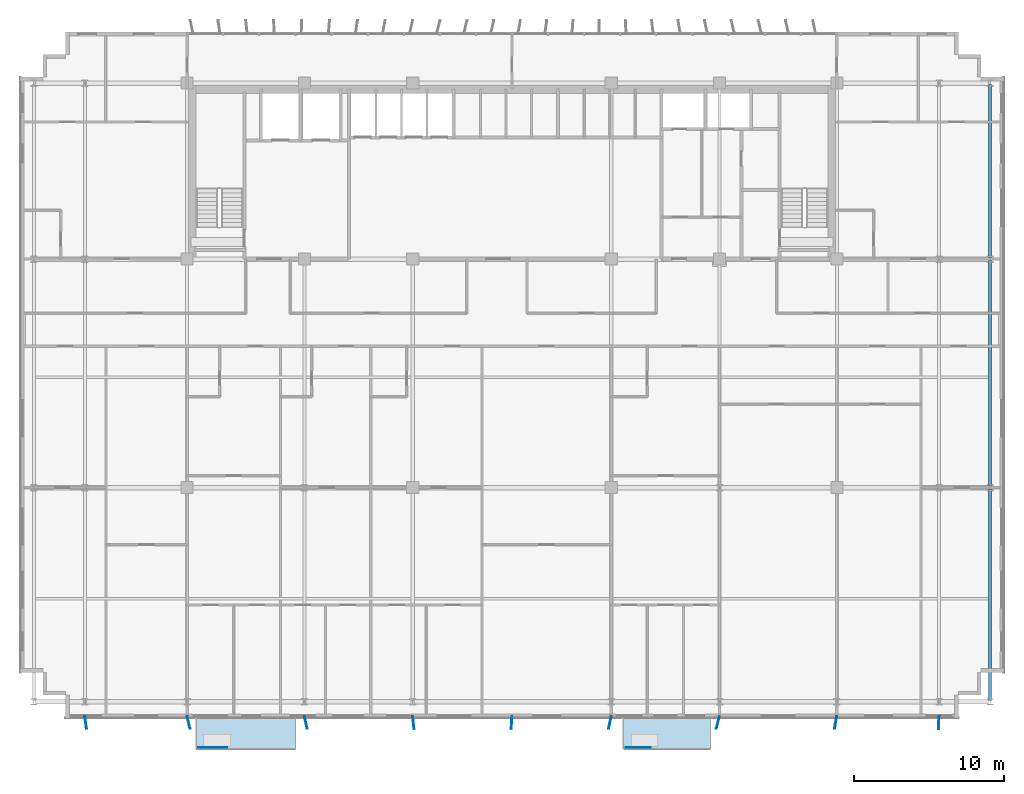
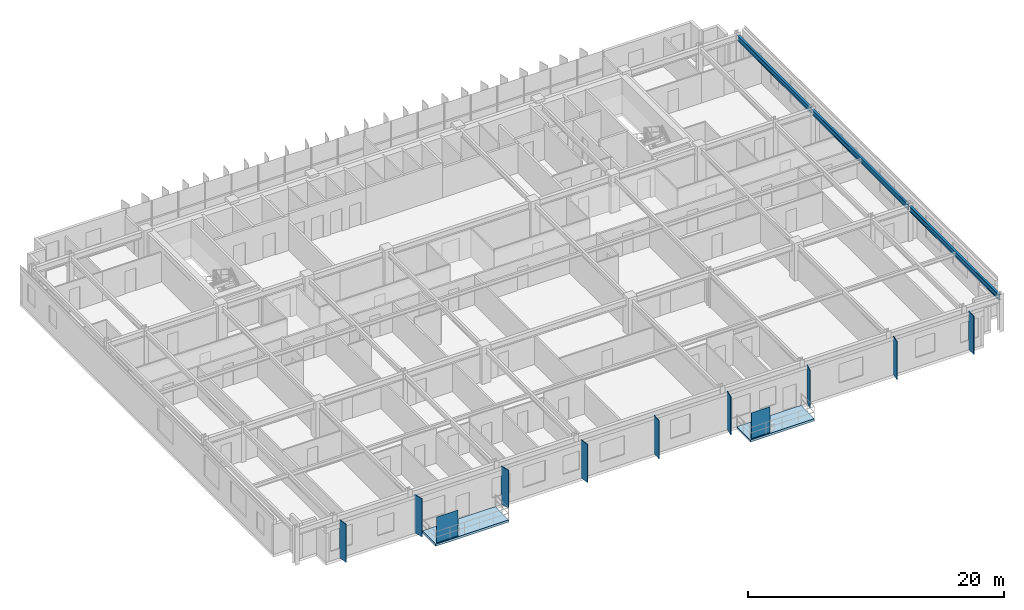
# One storey, part 12 of 22: 11 plates, 3 beams, 2 slabs.
"""IFC4 building model written with IfcOpenShell, lengths in metres."""

from ifc_helpers import new_model, si_unit, direction, frame, origin, origin_2d, place, context, subcontext, project, spatial, polyline, rectangle, i_section, outline, extrude, source, transform, mapped, material, layer, layer_set, material_profile, profile_set, type_object, element, save


model = new_model("IFC4")

# Units and contexts
model_context = context("Model", 3, precision=1e-05, world=origin(), true_north=direction((0.0, 1.0)))
body_context = subcontext(model_context, "Body", "Model", "MODEL_VIEW")
ifc_project = project(units=[si_unit("LENGTHUNIT", "METRE"), si_unit("AREAUNIT", "SQUARE_METRE"), si_unit("VOLUMEUNIT", "CUBIC_METRE"), si_unit("PLANEANGLEUNIT", "RADIAN"), si_unit("MASSUNIT", "GRAM", prefix="KILO")], contexts=[model_context])

# Site, building, storey
site_placement = place(None, origin())
site = spatial("IfcSite", under=ifc_project, at=site_placement, CompositionType="ELEMENT")
building_placement = place(site_placement, origin())
building = spatial("IfcBuilding", under=site, at=building_placement, Name="Trelvane Seafront Commons", CompositionType="ELEMENT")
storey_placement = place(building_placement, frame((0.0, 0.0, 114.10009765625)))
storey = spatial("IfcBuildingStorey", under=building, at=storey_placement, Name="L29", CompositionType="ELEMENT", Elevation=114.10009765625)

# Beams
ifc_material_1 = material(Name="Steel SM355 (S355)", Category="steel")
ifc_material_profile = material_profile(ifc_material_1, i_section(OverallWidth=0.199951171875, OverallDepth=0.5, WebThickness=0.010009765625, FlangeThickness=0.01611328125, at=origin_2d()), Name="H-500x200x10x16")
ifc_profile_set = profile_set([ifc_material_profile], Name="Steel SM355 (S355)")
beam_type = type_object("IfcBeamType", Name="STR-BM-H500", PredefinedType="BEAM", material=ifc_profile_set)
shared_shape_1 = source(origin(), body_context, "Body", "SweptSolid", [
    extrude(i_section(OverallWidth=0.199951171875, OverallDepth=0.5, WebThickness=0.010009765625, FlangeThickness=0.01611328125, at=origin_2d()), origin(), (0.0, 0.0, 1.0), 14.050048828125),
])
beam_1_placement = place(storey_placement, frame((69.0, 4.050048828125, 3.08984375), z_axis=(0.0, 1.0, 0.0), x_axis=(-1.0, 0.0, 0.0)))
element("IfcBeam", 1, at=beam_1_placement, inside=storey, type_object=beam_type, Name="L29 Primary Girder G-64", PredefinedType="BEAM", context=body_context, shape_type="MappedRepresentation", body=[
    mapped(shared_shape_1, transform((0.0, 0.0, 0.0), x_axis=(1.0, 0.0, 0.0), y_axis=(0.0, 1.0, 0.0), z_axis=(0.0, 0.0, 1.0), scale=1.0)),
])
shared_shape_2 = source(origin(), body_context, "Body", "SweptSolid", [
    extrude(i_section(OverallWidth=0.199951171875, OverallDepth=0.5, WebThickness=0.010009765625, FlangeThickness=0.01611328125, at=origin_2d()), origin(), (0.0, 0.0, 1.0), 15.0),
])
beam_2_placement = place(storey_placement, frame((69.0, 18.300048828125, 3.08984375), z_axis=(0.0, 1.0, 0.0), x_axis=(-1.0, 0.0, 0.0)))
element("IfcBeam", 2, at=beam_2_placement, inside=storey, type_object=beam_type, Name="L29 Primary Girder G-65", PredefinedType="BEAM", context=body_context, shape_type="MappedRepresentation", body=[
    mapped(shared_shape_2, transform((0.0, 0.0, 0.0), x_axis=(1.0, 0.0, 0.0), y_axis=(0.0, 1.0, 0.0), z_axis=(0.0, 0.0, 1.0), scale=1.0)),
])
shared_shape_3 = source(origin(), body_context, "Body", "SweptSolid", [
    extrude(i_section(OverallWidth=0.199951171875, OverallDepth=0.5, WebThickness=0.010009765625, FlangeThickness=0.01611328125, at=origin_2d()), origin(), (0.0, 0.0, 1.0), 11.5),
])
beam_3_placement = place(storey_placement, frame((69.0, 33.5, 3.08984375), z_axis=(0.0, 1.0, 0.0), x_axis=(-1.0, 0.0, 0.0)))
element("IfcBeam", 3, at=beam_3_placement, inside=storey, type_object=beam_type, Name="L29 Primary Girder G-66", PredefinedType="BEAM", context=body_context, shape_type="MappedRepresentation", body=[
    mapped(shared_shape_3, transform((0.0, 0.0, 0.0), x_axis=(1.0, 0.0, 0.0), y_axis=(0.0, 1.0, 0.0), z_axis=(0.0, 0.0, 1.0), scale=1.0)),
])

# Slabs
ifc_material_2 = material(Name="Concrete C40/50", Category="concrete")
ifc_layer_1 = layer(ifc_material_2, 0.219970703125, Name="ARCH-BALC-220")
ifc_layer_set_1 = layer_set([ifc_layer_1], Name="Concrete C40/50")
slab_type = type_object("IfcSlabType", Name="ARCH-BALC-220", PredefinedType="FLOOR", material=ifc_layer_set_1)
slab_1_placement = place(storey_placement, frame((0.0, 0.0, -0.22021484375)))
element("IfcSlab", 4, at=slab_1_placement, inside=storey, type_object=slab_type, Name="L29 Cantilevered Tree Balcony Loggia 1", PredefinedType="FLOOR", context=body_context, shape_type="SweptSolid", body=[
    extrude(outline(polyline([(16.199951171875, 0.800048828125), (22.800048828125, 0.800048828125), (22.800048828125, 2.89990234375), (16.199951171875, 2.89990234375), (16.199951171875, 0.800048828125)])), origin(), (0.0, 0.0, 1.0), 0.22021484375),
])
slab_2_placement = place(storey_placement, frame((0.0, 0.0, -0.22021484375)))
element("IfcSlab", 5, at=slab_2_placement, inside=storey, type_object=slab_type, Name="L29 Cantilevered Tree Balcony Loggia 2", PredefinedType="FLOOR", context=body_context, shape_type="SweptSolid", body=[
    extrude(outline(polyline([(44.60009765625, 0.800048828125), (50.39990234375, 0.800048828125), (50.39990234375, 2.89990234375), (44.60009765625, 2.89990234375), (44.60009765625, 0.800048828125)])), origin(), (0.0, 0.0, 1.0), 0.22021484375),
])

# Plates
ifc_material_3 = material(Name="Perforated anodised aluminium screen", Category="aluminium")
ifc_layer_2 = layer(ifc_material_3, 0.01611328125, Name="ARCH-PLATE-SCREEN")
ifc_layer_set_2 = layer_set([ifc_layer_2], Name="Perforated anodised aluminium screen")
plate_type_1 = type_object("IfcPlateType", Name="ARCH-PLATE-SCREEN", PredefinedType="USERDEFINED", material=ifc_layer_set_2)
shared_shape_4 = source(origin(), body_context, "Body", "SweptSolid", [
    extrude(rectangle(XDim=1.9140625, YDim=0.01611328125, at=origin_2d()), origin(), (0.0, 0.0, 1.0), 2.449951171875),
])
plate_1_placement = place(storey_placement, frame((17.306884765625, 0.919921875, 0.0), z_axis=(0.0, 0.0, 1.0), x_axis=(1.0, 0.0, 0.0)))
element("IfcPlate", 6, at=plate_1_placement, inside=storey, type_object=plate_type_1, Name="SCR-L29-00108", ObjectType="SCREEN", PredefinedType="USERDEFINED", context=body_context, shape_type="MappedRepresentation", body=[
    mapped(shared_shape_4, transform((0.0, 0.0, 0.0), x_axis=(1.0, 0.0, 0.0), y_axis=(0.0, 1.0, 0.0), z_axis=(0.0, 0.0, 1.0), scale=1.0)),
])
shared_shape_5 = source(origin(), body_context, "Body", "SweptSolid", [
    extrude(rectangle(XDim=1.681884765625, YDim=0.01611328125, at=origin_2d()), origin(), (0.0, 0.0, 1.0), 2.449951171875),
])
plate_2_placement = place(storey_placement, frame((45.591064453125, 0.919921875, 0.0), z_axis=(0.0, 0.0, 1.0), x_axis=(1.0, 0.0, 0.0)))
element("IfcPlate", 7, at=plate_2_placement, inside=storey, type_object=plate_type_1, Name="SCR-L29-00109", ObjectType="SCREEN", PredefinedType="USERDEFINED", context=body_context, shape_type="MappedRepresentation", body=[
    mapped(shared_shape_5, transform((0.0, 0.0, 0.0), x_axis=(1.0, 0.0, 0.0), y_axis=(0.0, 1.0, 0.0), z_axis=(0.0, 0.0, 1.0), scale=1.0)),
])
ifc_material_4 = material(Name="Anodised pale-silver aluminium", Category="aluminium")
ifc_layer_3 = layer(ifc_material_4, 0.06005859375, Name="ARCH-PLATE-FIN900")
ifc_layer_set_3 = layer_set([ifc_layer_3], Name="Anodised pale-silver aluminium")
plate_type_2 = type_object("IfcPlateType", Name="ARCH-PLATE-FIN900", PredefinedType="USERDEFINED", material=ifc_layer_set_3)
shared_shape_6 = source(origin(), body_context, "Body", "SweptSolid", [
    extrude(rectangle(XDim=0.85009765625, YDim=0.06005859375, at=origin_2d()), origin(), (0.0, 0.0, 1.0), 3.639892578125),
])
for number, where, z_axis, x_axis, name in (
    (8, (8.855712890625, 2.57861328125, -0.02001953125), (0.0, 0.0, 1.0), (0.130938015604, -0.991390556779, 0.0), "FIN-S-L29-00770"),
    (9, (15.6982421875, 2.58642578125, -0.02001953125), (0.0, 0.0, 1.0), (0.231058532806, -0.972939851387, 0.0), "FIN-S-L29-00771"),
    (10, (23.494873046875, 2.585693359375, -0.02001953125), (0.0, 0.0, 1.0), (0.223415136896, -0.974723384661, 0.0), "FIN-S-L29-00772"),
    (11, (30.647216796875, 2.57763671875, -0.02001953125), (0.0, 0.0, 1.0), (0.111297219774, -0.993787164775, 0.0), "FIN-S-L29-00773"),
    (12, (37.1767578125, 2.57568359375, -0.02001953125), (0.0, 0.0, 1.0), (-0.054707944078, -0.998502399023, 0.0), "FIN-S-L29-00774"),
    (13, (50.8974609375, 2.587646484375, -0.02001953125), (0.0, 0.0, 1.0), (-0.241539149064, -0.970391075531, 0.0), "FIN-S-L29-00776"),
    (14, (58.724853515625, 2.581787109375, -0.02001953125), (0.0, 0.0, 1.0), (-0.176938730014, -0.984221868189, 0.0), "FIN-S-L29-00777"),
    (15, (65.587890625, 2.5751953125, -0.02001953125), (0.0, 0.0, 1.0), (-0.028117038852, -0.999604637908, 0.0), "FIN-S-L29-00778"),
):
    element("IfcPlate", number, at=place(storey_placement, frame(where, z_axis=z_axis, x_axis=x_axis)), inside=storey, type_object=plate_type_2, Name=name, ObjectType="FIN", PredefinedType="USERDEFINED", context=body_context, shape_type="MappedRepresentation", body=[
        mapped(shared_shape_6, transform((0.0, 0.0, 0.0), x_axis=(1.0, 0.0, 0.0), y_axis=(0.0, 1.0, 0.0), z_axis=(0.0, 0.0, 1.0), scale=1.0)),
    ])
shared_shape_7 = source(origin(), body_context, "Body", "SweptSolid", [
    extrude(rectangle(XDim=0.849853515625, YDim=0.06005859375, at=origin_2d()), origin(), (0.0, 0.0, 1.0), 3.639892578125),
])
plate_3_placement = place(storey_placement, frame((43.717529296875, 2.5830078125, -0.02001953125), z_axis=(0.0, 0.0, 1.0), x_axis=(-0.194011774558, -0.980999200475, 0.0)))
element("IfcPlate", 16, at=plate_3_placement, inside=storey, type_object=plate_type_2, Name="FIN-S-L29-00775", ObjectType="FIN", PredefinedType="USERDEFINED", context=body_context, shape_type="MappedRepresentation", body=[
    mapped(shared_shape_7, transform((0.0, 0.0, 0.0), x_axis=(1.0, 0.0, 0.0), y_axis=(0.0, 1.0, 0.0), z_axis=(0.0, 0.0, 1.0), scale=1.0)),
])

save(model, "model.ifc")
